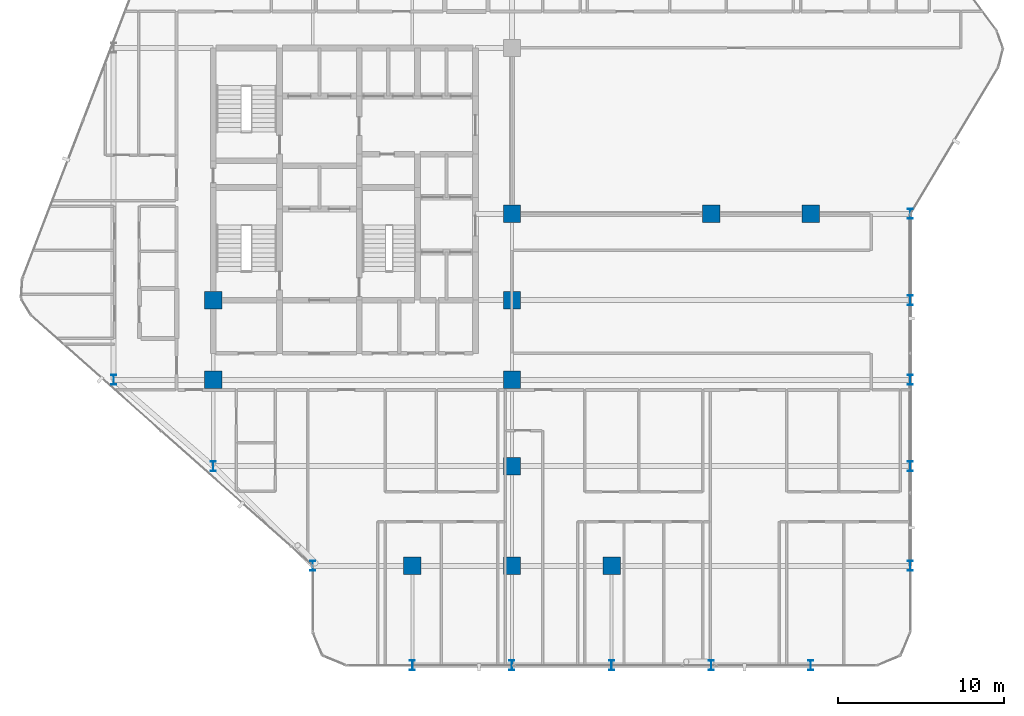
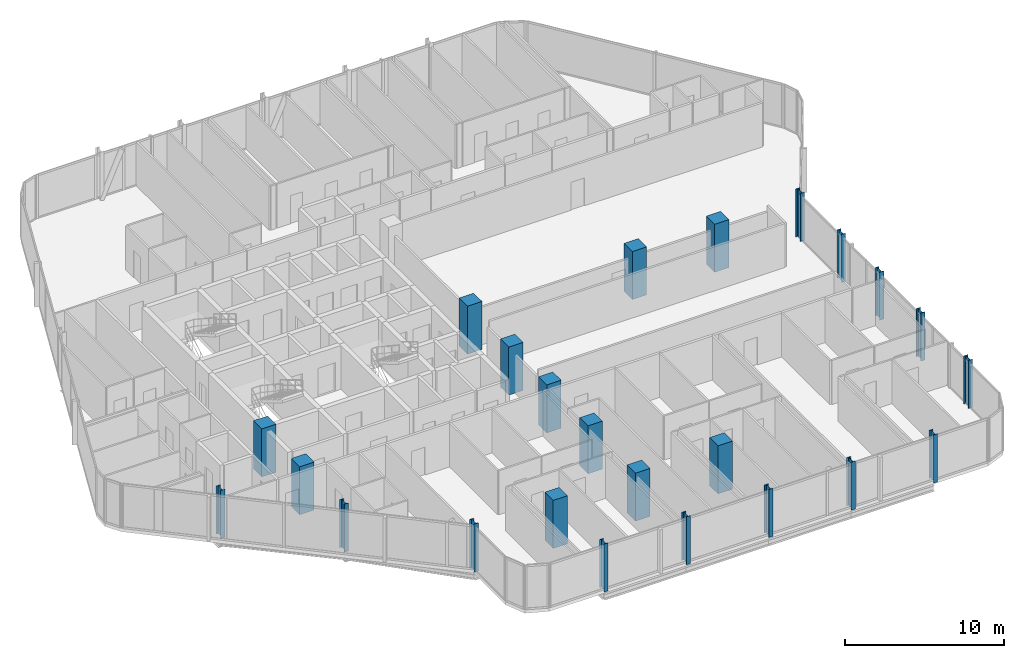
# One storey, part 1 of 29: 24 columns.
"""IFC4 building model written with IfcOpenShell, lengths in metres."""

from ifc_helpers import new_model, si_unit, direction, frame, origin, origin_2d, place, context, subcontext, project, spatial, rectangle, i_section, extrude, material, material_profile, profile_set, type_object, element, save


model = new_model("IFC4")

# Units and contexts
model_context = context("Model", 3, precision=1e-05, world=origin(), true_north=direction((0.0, 1.0)))
body_context = subcontext(model_context, "Body", "Model", "MODEL_VIEW")
ifc_project = project(units=[si_unit("LENGTHUNIT", "METRE"), si_unit("AREAUNIT", "SQUARE_METRE"), si_unit("VOLUMEUNIT", "CUBIC_METRE"), si_unit("PLANEANGLEUNIT", "RADIAN"), si_unit("MASSUNIT", "GRAM", prefix="KILO")], contexts=[model_context])

# Site, building, storey
site_placement = place(None, origin())
site = spatial("IfcSite", under=ifc_project, at=site_placement, CompositionType="ELEMENT")
building_placement = place(site_placement, origin())
building = spatial("IfcBuilding", under=site, at=building_placement, Name="Keshet Zoharim Tower", CompositionType="ELEMENT")
storey_placement = place(building_placement, frame((0.0, 0.0, 94.60009765625)))
storey = spatial("IfcBuildingStorey", under=building, at=storey_placement, Name="L22", CompositionType="ELEMENT", Elevation=94.60009765625)

# Columns
ifc_material_1 = material(Name="Steel S355", Category="steel")
ifc_material_profile_1 = material_profile(ifc_material_1, i_section(OverallWidth=0.300048828125, OverallDepth=0.60009765625, WebThickness=0.015380859375, FlangeThickness=0.030029296875, FilletRadius=0.027099609375, at=origin_2d()), Name="HEB600")
ifc_profile_set_1 = profile_set([ifc_material_profile_1], Name="Steel S355")
column_type_1 = type_object("IfcColumnType", Name="COL-HEB600", PredefinedType="COLUMN", material=ifc_profile_set_1)
for number, where, z_axis, x_axis, name in (
    (1, (9.0, 17.89990234375, 0.0), (0.0, 0.0, 1.0), (1.0, 0.0, 0.0), "L22 Column 2D"),
    (2, (15.0, 12.699951171875, 0.0), (0.0, 0.0, 1.0), (1.0, 0.0, 0.0), "L22 Column 3C"),
    (3, (21.0, 6.699951171875, 0.0), (0.0, 0.0, 1.0), (1.0, 0.0, 0.0), "L22 Column 4B"),
    (4, (27.0, 0.699951171875, 0.0), (0.0, 0.0, 1.0), (1.0, 0.0, 0.0), "L22 Column 5A"),
    (5, (33.0, 0.699951171875, 0.0), (0.0, 0.0, 1.0), (1.0, 0.0, 0.0), "L22 Column 6A"),
    (6, (39.0, 0.699951171875, 0.0), (0.0, 0.0, 1.0), (1.0, 0.0, 0.0), "L22 Column 7A"),
    (7, (45.0, 0.699951171875, 0.0), (0.0, 0.0, 1.0), (1.0, 0.0, 0.0), "L22 Column 8A"),
    (8, (51.0, 0.699951171875, 0.0), (0.0, 0.0, 1.0), (1.0, 0.0, 0.0), "L22 Column 9A"),
    (9, (57.0, 6.699951171875, 0.0), (0.0, 0.0, 1.0), (1.0, 0.0, 0.0), "L22 Column 10B"),
    (10, (57.0, 12.699951171875, 0.0), (0.0, 0.0, 1.0), (1.0, 0.0, 0.0), "L22 Column 10C"),
    (11, (57.0, 17.89990234375, 0.0), (0.0, 0.0, 1.0), (1.0, 0.0, 0.0), "L22 Column 10D"),
    (12, (57.0, 22.699951171875, 0.0), (0.0, 0.0, 1.0), (1.0, 0.0, 0.0), "L22 Column 10E"),
    (13, (57.0, 27.89990234375, 0.0), (0.0, 0.0, 1.0), (1.0, 0.0, 0.0), "L22 Column 10F"),
):
    element("IfcColumn", number, at=place(storey_placement, frame(where, z_axis=z_axis, x_axis=x_axis)), inside=storey, type_object=column_type_1, Name=name, PredefinedType="COLUMN", context=body_context, shape_type="SweptSolid", body=[
        extrude(i_section(OverallWidth=0.300048828125, OverallDepth=0.60009765625, WebThickness=0.015380859375, FlangeThickness=0.030029296875, FilletRadius=0.027099609375, at=origin_2d()), origin(), (0.0, 0.0, 1.0), 3.699951171875),
    ])
ifc_material_2 = material(Name="Concrete C60/75", Category="concrete")
ifc_material_profile_2 = material_profile(ifc_material_2, rectangle(XDim=1.050048828125, YDim=1.050048828125, at=origin_2d()), Name="RC1050x1050")
ifc_profile_set_2 = profile_set([ifc_material_profile_2], Name="Concrete C60/75")
column_type_2 = type_object("IfcColumnType", Name="COL-RC1050", PredefinedType="COLUMN", material=ifc_profile_set_2)
for number, where, z_axis, x_axis, name in (
    (14, (15.0, 17.89990234375, 0.0), (0.0, 0.0, 1.0), (1.0, 0.0, 0.0), "L22 Column 3D"),
    (15, (15.0, 22.699951171875, 0.0), (0.0, 0.0, 1.0), (1.0, 0.0, 0.0), "L22 Column 3E"),
    (16, (27.0, 6.699951171875, 0.0), (0.0, 0.0, 1.0), (1.0, 0.0, 0.0), "L22 Column 5B"),
    (17, (33.0, 6.699951171875, 0.0), (0.0, 0.0, 1.0), (1.0, 0.0, 0.0), "L22 Column 6B"),
    (18, (33.0, 12.699951171875, 0.0), (0.0, 0.0, 1.0), (1.0, 0.0, 0.0), "L22 Column 6C"),
    (19, (33.0, 17.89990234375, 0.0), (0.0, 0.0, 1.0), (1.0, 0.0, 0.0), "L22 Column 6D"),
    (20, (33.0, 22.699951171875, 0.0), (0.0, 0.0, 1.0), (1.0, 0.0, 0.0), "L22 Column 6E"),
    (21, (33.0, 27.89990234375, 0.0), (0.0, 0.0, 1.0), (1.0, 0.0, 0.0), "L22 Column 6F"),
    (22, (39.0, 6.699951171875, 0.0), (0.0, 0.0, 1.0), (1.0, 0.0, 0.0), "L22 Column 7B"),
    (23, (45.0, 27.89990234375, 0.0), (0.0, 0.0, 1.0), (1.0, 0.0, 0.0), "L22 Column 8F"),
    (24, (51.0, 27.89990234375, 0.0), (0.0, 0.0, 1.0), (1.0, 0.0, 0.0), "L22 Column 9F"),
):
    element("IfcColumn", number, at=place(storey_placement, frame(where, z_axis=z_axis, x_axis=x_axis)), inside=storey, type_object=column_type_2, Name=name, PredefinedType="COLUMN", context=body_context, shape_type="SweptSolid", body=[
        extrude(rectangle(XDim=1.050048828125, YDim=1.050048828125, at=origin_2d()), origin(), (0.0, 0.0, 1.0), 3.699951171875),
    ])

save(model, "model.ifc")
